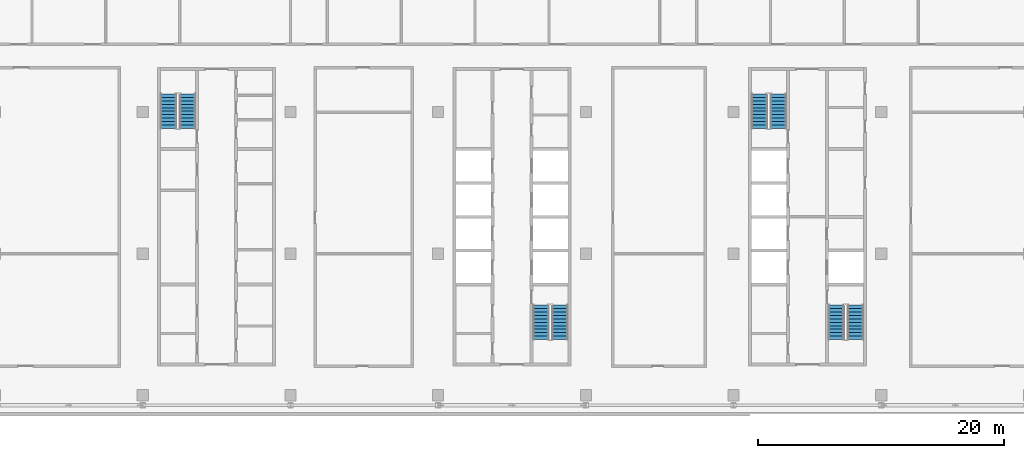
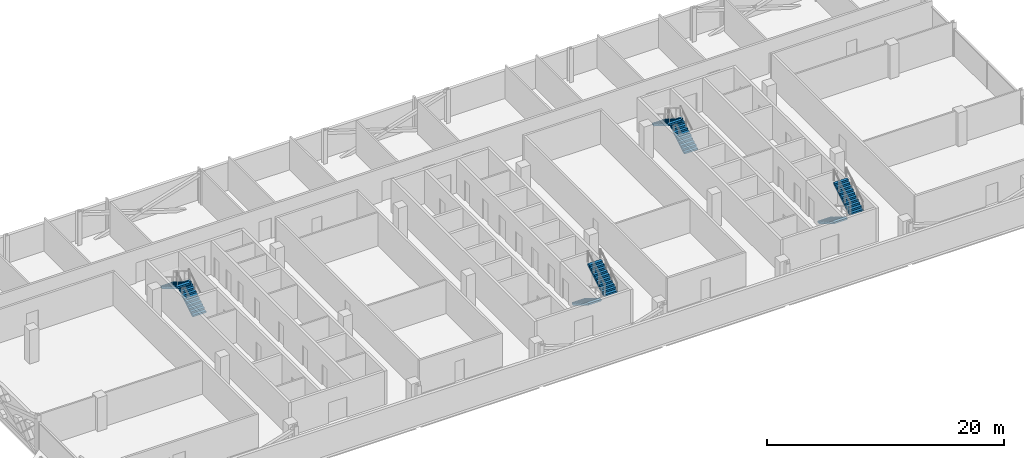
# One storey, part 20 of 29: 8 stair flights, 4 elements without a shape of their own.
"""IFC4 building model written with IfcOpenShell, lengths in metres."""

from ifc_helpers import new_model, si_unit, direction, frame, origin, place, context, subcontext, project, spatial, polyline, outline, extrude, material, type_object, element, aggregate, save


model = new_model("IFC4")

# Units and contexts
model_context = context("Model", 3, precision=1e-05, world=origin(), true_north=direction((0.0, 1.0)))
body_context = subcontext(model_context, "Body", "Model", "MODEL_VIEW")
ifc_project = project(units=[si_unit("LENGTHUNIT", "METRE"), si_unit("AREAUNIT", "SQUARE_METRE"), si_unit("VOLUMEUNIT", "CUBIC_METRE"), si_unit("PLANEANGLEUNIT", "RADIAN"), si_unit("MASSUNIT", "GRAM", prefix="KILO")], contexts=[model_context])

# Site, building, storey
site_placement = place(None, origin())
site = spatial("IfcSite", under=ifc_project, at=site_placement, CompositionType="ELEMENT")
building_placement = place(site_placement, origin())
building = spatial("IfcBuilding", under=site, at=building_placement, Name="Mahtab Terrace Research Tower", CompositionType="ELEMENT")
storey_placement = place(building_placement, frame((0.0, 0.0, 274.699951171875)))
storey = spatial("IfcBuildingStorey", under=building, at=storey_placement, Name="L67", CompositionType="ELEMENT", Elevation=274.699951171875)

# Stair, stair flights
ifc_material_1 = material(Name="Exit stair half-turn")
stair_type = type_object("IfcStairType", Name="Exit stair half-turn", PredefinedType="HALF_TURN_STAIR", material=ifc_material_1)
stair_1_placement = place(storey_placement, origin())
stair_1 = element("IfcStair", 1, at=stair_1_placement, inside=storey, type_object=stair_type, Name="L67 Protected exit stair ST1", PredefinedType="HALF_TURN_STAIR")
ifc_material_2 = material(Name="Concrete C40/50", Category="concrete")
stair_flight_type = type_object("IfcStairFlightType", Name="Exit stair flight 1300", PredefinedType="STRAIGHT", material=ifc_material_2)
stair_flight_1_placement = place(storey_placement, frame((-26.35009765625, 10.175048828125, 0.0), z_axis=(0.0, 0.0, 1.0), x_axis=(0.0, 1.0, 0.0)))
stair_flight_1 = element("IfcStairFlight", 2, at=stair_flight_1_placement, type_object=stair_flight_type, Name="ST1 flight 1", NumberOfRisers=11, NumberOfTreads=10, PredefinedType="STRAIGHT", RiserHeight=0.172727273, TreadLength=0.28, context=body_context, shape_type="SweptSolid", body=[
    extrude(outline(polyline([(0.0, 0.0), (0.0, 0.172607421875), (0.280029296875, 0.172607421875), (0.280029296875, 0.345458984375), (0.56005859375, 0.345458984375), (0.56005859375, 0.51806640625), (0.840087890625, 0.51806640625), (0.840087890625, 0.69091796875), (1.1201171875, 0.69091796875), (1.1201171875, 0.863525390625), (1.39990234375, 0.863525390625), (1.39990234375, 1.036376953125), (1.679931640625, 1.036376953125), (1.679931640625, 1.208984375), (1.9599609375, 1.208984375), (1.9599609375, 1.3818359375), (2.239990234375, 1.3818359375), (2.239990234375, 1.554443359375), (2.52001953125, 1.554443359375), (2.52001953125, 1.727294921875), (2.800048828125, 1.727294921875), (2.800048828125, 1.89990234375), (2.800048828125, 1.551025390625), (0.285400390625, 0.0), (0.0, 0.0)])), frame((0.0, 0.64990234375, 0.0), z_axis=(0.0, -1.0, 0.0), x_axis=(1.0, 0.0, 0.0)), (0.0, 0.0, 1.0), 1.300048828125),
])
stair_flight_2_placement = place(storey_placement, frame((-27.89990234375, 12.97509765625, 1.900146484375), z_axis=(0.0, 0.0, 1.0), x_axis=(0.0, -1.0, 0.0)))
stair_flight_2 = element("IfcStairFlight", 3, at=stair_flight_2_placement, type_object=stair_flight_type, Name="ST1 flight 2", NumberOfRisers=11, NumberOfTreads=10, PredefinedType="STRAIGHT", RiserHeight=0.172727273, TreadLength=0.28, context=body_context, shape_type="SweptSolid", body=[
    extrude(outline(polyline([(0.0, 0.0), (0.0, 0.172607421875), (0.280029296875, 0.172607421875), (0.280029296875, 0.345458984375), (0.56005859375, 0.345458984375), (0.56005859375, 0.51806640625), (0.840087890625, 0.51806640625), (0.840087890625, 0.69091796875), (1.1201171875, 0.69091796875), (1.1201171875, 0.863525390625), (1.39990234375, 0.863525390625), (1.39990234375, 1.036376953125), (1.679931640625, 1.036376953125), (1.679931640625, 1.208984375), (1.9599609375, 1.208984375), (1.9599609375, 1.3818359375), (2.239990234375, 1.3818359375), (2.239990234375, 1.554443359375), (2.52001953125, 1.554443359375), (2.52001953125, 1.727294921875), (2.800048828125, 1.727294921875), (2.800048828125, 1.89990234375), (2.800048828125, 1.551025390625), (0.285400390625, 0.0), (0.0, 0.0)])), frame((0.0, 0.64990234375, 0.0), z_axis=(0.0, -1.0, 0.0), x_axis=(1.0, 0.0, 0.0)), (0.0, 0.0, 1.0), 1.300048828125),
])
aggregate(stair_1, [stair_flight_1, stair_flight_2])

stair_2_placement = place(storey_placement, origin())
stair_2 = element("IfcStair", 4, at=stair_2_placement, inside=storey, type_object=stair_type, Name="L67 Protected exit stair ST2", PredefinedType="HALF_TURN_STAIR")
stair_flight_3_placement = place(storey_placement, frame((2.35009765625, -4.175048828125, 0.0), z_axis=(0.0, 0.0, 1.0), x_axis=(0.0, -1.0, 0.0)))
stair_flight_3 = element("IfcStairFlight", 5, at=stair_flight_3_placement, type_object=stair_flight_type, Name="ST2 flight 1", NumberOfRisers=11, NumberOfTreads=10, PredefinedType="STRAIGHT", RiserHeight=0.172727273, TreadLength=0.28, context=body_context, shape_type="SweptSolid", body=[
    extrude(outline(polyline([(0.0, 0.0), (0.0, 0.172607421875), (0.280029296875, 0.172607421875), (0.280029296875, 0.345458984375), (0.56005859375, 0.345458984375), (0.56005859375, 0.51806640625), (0.840087890625, 0.51806640625), (0.840087890625, 0.69091796875), (1.1201171875, 0.69091796875), (1.1201171875, 0.863525390625), (1.39990234375, 0.863525390625), (1.39990234375, 1.036376953125), (1.679931640625, 1.036376953125), (1.679931640625, 1.208984375), (1.9599609375, 1.208984375), (1.9599609375, 1.3818359375), (2.239990234375, 1.3818359375), (2.239990234375, 1.554443359375), (2.52001953125, 1.554443359375), (2.52001953125, 1.727294921875), (2.800048828125, 1.727294921875), (2.800048828125, 1.89990234375), (2.800048828125, 1.551025390625), (0.285400390625, 0.0), (0.0, 0.0)])), frame((0.0, 0.64990234375, 0.0), z_axis=(0.0, -1.0, 0.0), x_axis=(1.0, 0.0, 0.0)), (0.0, 0.0, 1.0), 1.300048828125),
])
stair_flight_4_placement = place(storey_placement, frame((3.89990234375, -6.97509765625, 1.900146484375), z_axis=(0.0, 0.0, 1.0), x_axis=(0.0, 1.0, 0.0)))
stair_flight_4 = element("IfcStairFlight", 6, at=stair_flight_4_placement, type_object=stair_flight_type, Name="ST2 flight 2", NumberOfRisers=11, NumberOfTreads=10, PredefinedType="STRAIGHT", RiserHeight=0.172727273, TreadLength=0.28, context=body_context, shape_type="SweptSolid", body=[
    extrude(outline(polyline([(0.0, 0.0), (0.0, 0.172607421875), (0.280029296875, 0.172607421875), (0.280029296875, 0.345458984375), (0.56005859375, 0.345458984375), (0.56005859375, 0.51806640625), (0.840087890625, 0.51806640625), (0.840087890625, 0.69091796875), (1.1201171875, 0.69091796875), (1.1201171875, 0.863525390625), (1.39990234375, 0.863525390625), (1.39990234375, 1.036376953125), (1.679931640625, 1.036376953125), (1.679931640625, 1.208984375), (1.9599609375, 1.208984375), (1.9599609375, 1.3818359375), (2.239990234375, 1.3818359375), (2.239990234375, 1.554443359375), (2.52001953125, 1.554443359375), (2.52001953125, 1.727294921875), (2.800048828125, 1.727294921875), (2.800048828125, 1.89990234375), (2.800048828125, 1.551025390625), (0.285400390625, 0.0), (0.0, 0.0)])), frame((0.0, 0.64990234375, 0.0), z_axis=(0.0, -1.0, 0.0), x_axis=(1.0, 0.0, 0.0)), (0.0, 0.0, 1.0), 1.300048828125),
])
aggregate(stair_2, [stair_flight_3, stair_flight_4])

stair_3_placement = place(storey_placement, origin())
stair_3 = element("IfcStair", 7, at=stair_3_placement, inside=storey, type_object=stair_type, Name="L67 Protected exit stair ST3", PredefinedType="HALF_TURN_STAIR")
stair_flight_5_placement = place(storey_placement, frame((21.64990234375, 10.175048828125, 0.0), z_axis=(0.0, 0.0, 1.0), x_axis=(0.0, 1.0, 0.0)))
stair_flight_5 = element("IfcStairFlight", 8, at=stair_flight_5_placement, type_object=stair_flight_type, Name="ST3 flight 1", NumberOfRisers=11, NumberOfTreads=10, PredefinedType="STRAIGHT", RiserHeight=0.172727273, TreadLength=0.28, context=body_context, shape_type="SweptSolid", body=[
    extrude(outline(polyline([(0.0, 0.0), (0.0, 0.172607421875), (0.280029296875, 0.172607421875), (0.280029296875, 0.345458984375), (0.56005859375, 0.345458984375), (0.56005859375, 0.51806640625), (0.840087890625, 0.51806640625), (0.840087890625, 0.69091796875), (1.1201171875, 0.69091796875), (1.1201171875, 0.863525390625), (1.39990234375, 0.863525390625), (1.39990234375, 1.036376953125), (1.679931640625, 1.036376953125), (1.679931640625, 1.208984375), (1.9599609375, 1.208984375), (1.9599609375, 1.3818359375), (2.239990234375, 1.3818359375), (2.239990234375, 1.554443359375), (2.52001953125, 1.554443359375), (2.52001953125, 1.727294921875), (2.800048828125, 1.727294921875), (2.800048828125, 1.89990234375), (2.800048828125, 1.551025390625), (0.285400390625, 0.0), (0.0, 0.0)])), frame((0.0, 0.64990234375, 0.0), z_axis=(0.0, -1.0, 0.0), x_axis=(1.0, 0.0, 0.0)), (0.0, 0.0, 1.0), 1.300048828125),
])
stair_flight_6_placement = place(storey_placement, frame((20.10009765625, 12.97509765625, 1.900146484375), z_axis=(0.0, 0.0, 1.0), x_axis=(0.0, -1.0, 0.0)))
stair_flight_6 = element("IfcStairFlight", 9, at=stair_flight_6_placement, type_object=stair_flight_type, Name="ST3 flight 2", NumberOfRisers=11, NumberOfTreads=10, PredefinedType="STRAIGHT", RiserHeight=0.172727273, TreadLength=0.28, context=body_context, shape_type="SweptSolid", body=[
    extrude(outline(polyline([(0.0, 0.0), (0.0, 0.172607421875), (0.280029296875, 0.172607421875), (0.280029296875, 0.345458984375), (0.56005859375, 0.345458984375), (0.56005859375, 0.51806640625), (0.840087890625, 0.51806640625), (0.840087890625, 0.69091796875), (1.1201171875, 0.69091796875), (1.1201171875, 0.863525390625), (1.39990234375, 0.863525390625), (1.39990234375, 1.036376953125), (1.679931640625, 1.036376953125), (1.679931640625, 1.208984375), (1.9599609375, 1.208984375), (1.9599609375, 1.3818359375), (2.239990234375, 1.3818359375), (2.239990234375, 1.554443359375), (2.52001953125, 1.554443359375), (2.52001953125, 1.727294921875), (2.800048828125, 1.727294921875), (2.800048828125, 1.89990234375), (2.800048828125, 1.551025390625), (0.285400390625, 0.0), (0.0, 0.0)])), frame((0.0, 0.64990234375, 0.0), z_axis=(0.0, -1.0, 0.0), x_axis=(1.0, 0.0, 0.0)), (0.0, 0.0, 1.0), 1.300048828125),
])
aggregate(stair_3, [stair_flight_5, stair_flight_6])

stair_4_placement = place(storey_placement, origin())
stair_4 = element("IfcStair", 10, at=stair_4_placement, inside=storey, type_object=stair_type, Name="L67 Protected exit stair ST4", PredefinedType="HALF_TURN_STAIR")
stair_flight_7_placement = place(storey_placement, frame((26.35009765625, -4.175048828125, 0.0), z_axis=(0.0, 0.0, 1.0), x_axis=(0.0, -1.0, 0.0)))
stair_flight_7 = element("IfcStairFlight", 11, at=stair_flight_7_placement, type_object=stair_flight_type, Name="ST4 flight 1", NumberOfRisers=11, NumberOfTreads=10, PredefinedType="STRAIGHT", RiserHeight=0.172727273, TreadLength=0.28, context=body_context, shape_type="SweptSolid", body=[
    extrude(outline(polyline([(0.0, 0.0), (0.0, 0.172607421875), (0.280029296875, 0.172607421875), (0.280029296875, 0.345458984375), (0.56005859375, 0.345458984375), (0.56005859375, 0.51806640625), (0.840087890625, 0.51806640625), (0.840087890625, 0.69091796875), (1.1201171875, 0.69091796875), (1.1201171875, 0.863525390625), (1.39990234375, 0.863525390625), (1.39990234375, 1.036376953125), (1.679931640625, 1.036376953125), (1.679931640625, 1.208984375), (1.9599609375, 1.208984375), (1.9599609375, 1.3818359375), (2.239990234375, 1.3818359375), (2.239990234375, 1.554443359375), (2.52001953125, 1.554443359375), (2.52001953125, 1.727294921875), (2.800048828125, 1.727294921875), (2.800048828125, 1.89990234375), (2.800048828125, 1.551025390625), (0.285400390625, 0.0), (0.0, 0.0)])), frame((0.0, 0.64990234375, 0.0), z_axis=(0.0, -1.0, 0.0), x_axis=(1.0, 0.0, 0.0)), (0.0, 0.0, 1.0), 1.300048828125),
])
stair_flight_8_placement = place(storey_placement, frame((27.89990234375, -6.97509765625, 1.900146484375), z_axis=(0.0, 0.0, 1.0), x_axis=(0.0, 1.0, 0.0)))
stair_flight_8 = element("IfcStairFlight", 12, at=stair_flight_8_placement, type_object=stair_flight_type, Name="ST4 flight 2", NumberOfRisers=11, NumberOfTreads=10, PredefinedType="STRAIGHT", RiserHeight=0.172727273, TreadLength=0.28, context=body_context, shape_type="SweptSolid", body=[
    extrude(outline(polyline([(0.0, 0.0), (0.0, 0.172607421875), (0.280029296875, 0.172607421875), (0.280029296875, 0.345458984375), (0.56005859375, 0.345458984375), (0.56005859375, 0.51806640625), (0.840087890625, 0.51806640625), (0.840087890625, 0.69091796875), (1.1201171875, 0.69091796875), (1.1201171875, 0.863525390625), (1.39990234375, 0.863525390625), (1.39990234375, 1.036376953125), (1.679931640625, 1.036376953125), (1.679931640625, 1.208984375), (1.9599609375, 1.208984375), (1.9599609375, 1.3818359375), (2.239990234375, 1.3818359375), (2.239990234375, 1.554443359375), (2.52001953125, 1.554443359375), (2.52001953125, 1.727294921875), (2.800048828125, 1.727294921875), (2.800048828125, 1.89990234375), (2.800048828125, 1.551025390625), (0.285400390625, 0.0), (0.0, 0.0)])), frame((0.0, 0.64990234375, 0.0), z_axis=(0.0, -1.0, 0.0), x_axis=(1.0, 0.0, 0.0)), (0.0, 0.0, 1.0), 1.300048828125),
])
aggregate(stair_4, [stair_flight_7, stair_flight_8])

save(model, "model.ifc")
